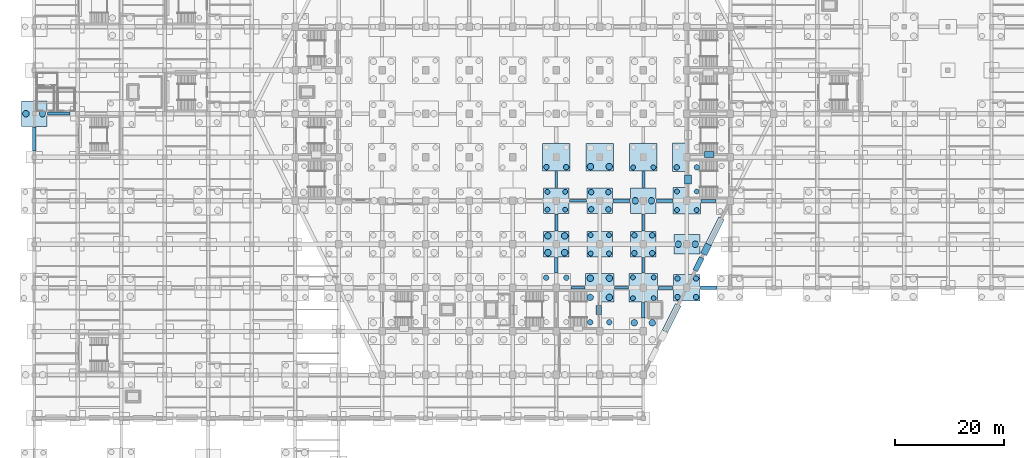
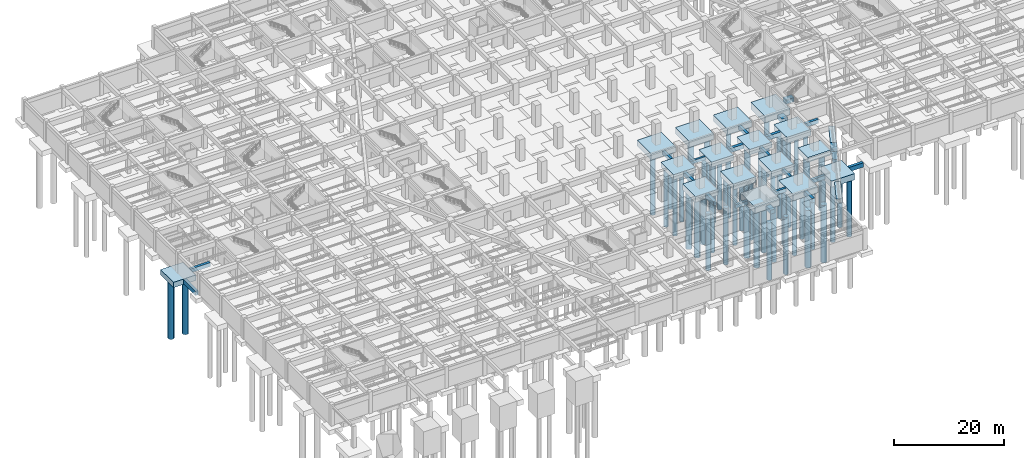
# One storey, part 5 of 36: 56 piles, 40 footings.
"""IFC4 building model written with IfcOpenShell, lengths in metres."""

import ifcopenshell
import ifcopenshell.guid

model = None  # the IFC model being written
_history = None  # IfcOwnerHistory: only IFC2X3 demands one
_inside = {}  # id of a spatial element -> (the spatial element, [elements in it])
_under = {}  # id of a project, library or spatial element -> (it, [spatial elements below it])
_declared = {}  # id of a project -> (the project, [libraries it declares])
_typed = {}  # id of a type object -> (the type object, [elements of that type])
_made_of = {}  # id of a material, layer set ... -> (it, [elements and type objects made of it])


def new_model(schema):
    """Start an empty IFC model of exactly this schema.

    Asked for "IFC4X3", IfcOpenShell would pick the latest addendum, in which some entities
    have other attributes; the version numbers below select the first issue.
    IFC2X3 requires an IfcOwnerHistory on every rooted entity: one is made here for all.
    """
    global model, _history
    if schema == "IFC4X3":
        model = ifcopenshell.file(schema_version=(4, 3, 0, 0))
    else:
        model = ifcopenshell.file(schema=schema)
    _inside.clear()
    _under.clear()
    _declared.clear()
    _typed.clear()
    _made_of.clear()
    _history = None
    if model.schema == "IFC2X3":
        org = make("IfcOrganization", Name="unknown")
        user = make(
            "IfcPersonAndOrganization",
            ThePerson=make("IfcPerson", FamilyName="unknown"),
            TheOrganization=org,
        )
        app = make(
            "IfcApplication",
            ApplicationDeveloper=org,
            Version="unknown",
            ApplicationFullName="unknown",
            ApplicationIdentifier="unknown",
        )
        _history = make(
            "IfcOwnerHistory",
            OwningUser=user,
            OwningApplication=app,
            ChangeAction="ADDED",
            CreationDate=0,
        )
    return model


def make(cls, **values):
    """One entity of the class cls with the attributes given. An attribute that is None is left unset."""
    return model.create_entity(
        cls, **{name: value for name, value in values.items() if value is not None}
    )


def rooted(cls, **values):
    """An entity with a GlobalId (a new one), such as an element, a storey or a relation."""
    return make(cls, GlobalId=ifcopenshell.guid.new(), OwnerHistory=_history, **values)


def si_unit(unit_type, name, prefix=None):
    """IfcSIUnit, for example si_unit("LENGTHUNIT", "METRE", prefix="MILLI")."""
    return make("IfcSIUnit", UnitType=unit_type, Prefix=prefix, Name=name)


def assignment(units):
    """IfcUnitAssignment: the units of a project."""
    return None if units is None else make("IfcUnitAssignment", Units=units)


def point(xyz):
    """IfcCartesianPoint."""
    return None if xyz is None else make("IfcCartesianPoint", Coordinates=xyz)


def direction(xyz):
    """IfcDirection."""
    return None if xyz is None else make("IfcDirection", DirectionRatios=xyz)


def frame(location, z_axis=None, x_axis=None):
    """IfcAxis2Placement3D, a coordinate frame: its origin and axes. An axis left out is left unset."""
    return make(
        "IfcAxis2Placement3D",
        Location=point(location),
        Axis=direction(z_axis),
        RefDirection=direction(x_axis),
    )


def frame_2d(location, x_axis=None):
    """IfcAxis2Placement2D, a coordinate frame in the plane: its origin and x axis."""
    return make(
        "IfcAxis2Placement2D", Location=point(location), RefDirection=direction(x_axis)
    )


def origin():
    """The frame at (0, 0, 0) with its axes left unset."""
    return frame((0.0, 0.0, 0.0))


def origin_2d():
    """The frame at (0, 0) in the plane with its x axis left unset."""
    return frame_2d((0.0, 0.0))


def place(relative_to, where):
    """IfcLocalPlacement: puts the frame where relative to a parent placement (None: the world)."""
    return make(
        "IfcLocalPlacement", PlacementRelTo=relative_to, RelativePlacement=where
    )


def context(
    kind, dimensions, precision=None, world=None, true_north=None, identifier=None
):
    """IfcGeometricRepresentationContext, for example the 3D "Model" context."""
    return make(
        "IfcGeometricRepresentationContext",
        ContextIdentifier=identifier,
        ContextType=kind,
        CoordinateSpaceDimension=dimensions,
        Precision=precision,
        WorldCoordinateSystem=world,
        TrueNorth=true_north,
    )


def subcontext(parent, identifier, kind, view, scale=None):
    """IfcGeometricRepresentationSubContext, for example "Body" below "Model"."""
    return make(
        "IfcGeometricRepresentationSubContext",
        ContextIdentifier=identifier,
        ContextType=kind,
        ParentContext=parent,
        TargetScale=scale,
        TargetView=view,
    )


def project(units=None, contexts=None):
    """IfcProject with its units and contexts."""
    return rooted(
        "IfcProject",
        Name="project",
        RepresentationContexts=contexts,
        UnitsInContext=assignment(units),
    )


def spatial(cls, under=None, at=None, **own):
    """A site, building, storey or space (cls), placed at a placement, below another one or the project."""
    s = rooted(cls, ObjectPlacement=at, **own)
    if under is not None:
        _under.setdefault(under.id(), (under, []))[1].append(s)
    return s


def profile(cls, at=None, kind="AREA", **sizes):
    """A parametric profile (cls). Its sizes go by their IFC names, for example OverallWidth=200.0."""
    return make(cls, ProfileType=kind, Position=at, **sizes)


def rectangle(**sizes):
    """IfcRectangleProfileDef."""
    return profile("IfcRectangleProfileDef", **sizes)


def circle(**sizes):
    """IfcCircleProfileDef."""
    return profile("IfcCircleProfileDef", **sizes)


def extrude(swept, where, along, depth):
    """IfcExtrudedAreaSolid: the profile swept, set in the frame where, extruded along a direction by depth."""
    return make(
        "IfcExtrudedAreaSolid",
        SweptArea=swept,
        Position=where,
        ExtrudedDirection=direction(along),
        Depth=depth,
    )


def shape(context_of_items, identifier, shape_type, items):
    """IfcShapeRepresentation: the items that make up one representation, for example the "Body"."""
    return make(
        "IfcShapeRepresentation",
        ContextOfItems=context_of_items,
        RepresentationIdentifier=identifier,
        RepresentationType=shape_type,
        Items=items,
    )


def material(Name=None, Category=None):
    """IfcMaterial."""
    return make("IfcMaterial", Name=Name, Category=Category)


def material_profile(
    of_material, cross_section, Name=None, Category=None, Priority=None
):
    """IfcMaterialProfile: a cross section and its material."""
    return make(
        "IfcMaterialProfile",
        Name=Name,
        Material=of_material,
        Profile=cross_section,
        Priority=Priority,
        Category=Category,
    )


def profile_set(profiles, Name=None, composite=None):
    """IfcMaterialProfileSet."""
    return make(
        "IfcMaterialProfileSet",
        Name=Name,
        MaterialProfiles=profiles,
        CompositeProfile=composite,
    )


def made_of(thing, what):
    """Note that an element or type object is made of a material, layer set ...; save() writes the relation."""
    if what is not None:
        _made_of.setdefault(what.id(), (what, []))[1].append(thing)
    return thing


def type_object(cls, material=None, **own):
    """A type object (cls), such as IfcWallType, which elements share."""
    return made_of(rooted(cls, **own), material)


def element(
    cls,
    number,
    at=None,
    inside=None,
    cuts=None,
    type_object=None,
    material=None,
    context=None,
    identifier="Body",
    shape_type=None,
    held_by="IfcProductDefinitionShape",
    body=None,
    shapes=None,
    **own,
):
    """One element of the class cls, such as IfcWall. Its Tag is "e" and its number.

    at: its placement. inside: the storey or other place that contains it. cuts: it is an
    opening in that element (IfcRelVoidsElement). A single representation is given by context,
    identifier, shape_type and body (its items); several are given by shapes. held_by: the class
    of the entity that holds the representations. save() writes the other relations.
    """
    e = rooted(cls, Tag="e%d" % number, ObjectPlacement=at, **own)
    if body is not None:
        shapes = [shape(context, identifier, shape_type, body)]
    if shapes is not None:
        e.Representation = make(held_by, Representations=shapes)
    if inside is not None:
        _inside.setdefault(inside.id(), (inside, []))[1].append(e)
    if cuts is not None:
        rooted(
            "IfcRelVoidsElement", RelatingBuildingElement=cuts, RelatedOpeningElement=e
        )
    if type_object is not None:
        _typed.setdefault(type_object.id(), (type_object, []))[1].append(e)
    return made_of(e, material)


def aggregate(whole, parts):
    """IfcRelAggregates: a whole, such as a stair, and the parts it consists of."""
    return rooted("IfcRelAggregates", RelatingObject=whole, RelatedObjects=parts)


def save(model, path):
    """Write the relations noted so far, then the file.

    IfcRelAggregates (storeys below a building ...), IfcRelContainedInSpatialStructure (elements
    in a storey), IfcRelDefinesByType, IfcRelAssociatesMaterial and IfcRelDeclares: one each for
    every whole, place, type object, material and project.
    """
    for whole, parts in _under.values():
        aggregate(whole, parts)
    for where, things in _inside.values():
        rooted(
            "IfcRelContainedInSpatialStructure",
            RelatedElements=things,
            RelatingStructure=where,
        )
    for kind, things in _typed.values():
        rooted("IfcRelDefinesByType", RelatedObjects=things, RelatingType=kind)
    for what, things in _made_of.values():
        rooted("IfcRelAssociatesMaterial", RelatedObjects=things, RelatingMaterial=what)
    for by, libraries in _declared.values():
        rooted("IfcRelDeclares", RelatingContext=by, RelatedDefinitions=libraries)
    model.write(path)


model = new_model("IFC4")

# Units and contexts
model_context = context("Model", 3, precision=1e-05, world=origin(), true_north=direction((0.0, 1.0)))
body_context = subcontext(model_context, "Body", "Model", "MODEL_VIEW")
ifc_project = project(units=[si_unit("LENGTHUNIT", "METRE"), si_unit("AREAUNIT", "SQUARE_METRE"), si_unit("VOLUMEUNIT", "CUBIC_METRE"), si_unit("PLANEANGLEUNIT", "RADIAN"), si_unit("MASSUNIT", "GRAM", prefix="KILO")], contexts=[model_context])

# Site, building, storey
site_placement = place(None, origin())
site = spatial("IfcSite", under=ifc_project, at=site_placement, CompositionType="ELEMENT")
building_placement = place(site_placement, origin())
building = spatial("IfcBuilding", under=site, at=building_placement, Name="Tazarka Park Arena", CompositionType="ELEMENT")
storey_placement = place(building_placement, frame((0.0, 0.0, -4.800048828125)))
storey = spatial("IfcBuildingStorey", under=building, at=storey_placement, Name="B1", CompositionType="ELEMENT", Elevation=-4.800048828125)

# Footings
ifc_material_1 = material(Name="Concrete C35/45", Category="concrete")
footing_type_1 = type_object("IfcFootingType", Name="CAP-PC-01", PredefinedType="PILE_CAP", material=ifc_material_1)
footing_1_placement = place(storey_placement, frame((0.0, 64.0, -1.19970703125), z_axis=(0.0, 0.0, 1.0), x_axis=(1.0, 0.0, 0.0)))
element("IfcFooting", 1, at=footing_1_placement, inside=storey, type_object=footing_type_1, Name="CAP-G-00-08", PredefinedType="PILE_CAP", context=body_context, shape_type="SweptSolid", body=[
    extrude(rectangle(XDim=4.699951171875, YDim=4.699951171875, at=origin_2d()), origin(), (0.0, 0.0, 1.0), 1.199951171875),
])
ifc_material_2 = material(Name="Concrete C35/45", Category="concrete")
footing_type_2 = type_object("IfcFootingType", Name="CAP-PC-02", PredefinedType="PILE_CAP", material=ifc_material_2)
footing_2_placement = place(storey_placement, frame((120.0, 32.0, -1.39990234375), z_axis=(0.0, 0.0, 1.0), x_axis=(1.0, 0.0, 0.0)))
element("IfcFooting", 2, at=footing_2_placement, inside=storey, type_object=footing_type_2, Name="CAP-G-15-04", PredefinedType="PILE_CAP", context=body_context, shape_type="SweptSolid", body=[
    extrude(rectangle(XDim=4.89990234375, YDim=4.89990234375, at=origin_2d()), origin(), (0.0, 0.0, 1.0), 1.39990234375),
])
ifc_material_3 = material(Name="Concrete C35/45", Category="concrete")
footing_type_3 = type_object("IfcFootingType", Name="CAP-PC-03", PredefinedType="PILE_CAP", material=ifc_material_3)
footing_3_placement = place(storey_placement, frame((120.0, 40.0, -1.10009765625), z_axis=(0.0, 0.0, 1.0), x_axis=(1.0, 0.0, 0.0)))
element("IfcFooting", 3, at=footing_3_placement, inside=storey, type_object=footing_type_3, Name="CAP-G-15-05", PredefinedType="PILE_CAP", context=body_context, shape_type="SweptSolid", body=[
    extrude(rectangle(XDim=4.800048828125, YDim=3.60009765625, at=origin_2d()), origin(), (0.0, 0.0, 1.0), 1.10009765625),
])
ifc_material_4 = material(Name="Concrete C35/45", Category="concrete")
footing_type_4 = type_object("IfcFootingType", Name="CAP-PC-04", PredefinedType="PILE_CAP", material=ifc_material_4)
footing_4_placement = place(storey_placement, frame((120.0, 48.0, -1.2998046875), z_axis=(0.0, 0.0, 1.0), x_axis=(1.0, 0.0, 0.0)))
element("IfcFooting", 4, at=footing_4_placement, inside=storey, type_object=footing_type_4, Name="CAP-G-15-06", PredefinedType="PILE_CAP", context=body_context, shape_type="SweptSolid", body=[
    extrude(rectangle(XDim=5.0, YDim=4.800048828125, at=origin_2d()), origin(), (0.0, 0.0, 1.0), 1.300048828125),
])
ifc_material_5 = material(Name="Concrete C35/45", Category="concrete")
footing_type_5 = type_object("IfcFootingType", Name="CAP-PC-05", PredefinedType="PILE_CAP", material=ifc_material_5)
for number, where, z_axis, x_axis, name in (
    (5, (104.0, 32.0, -1.5), (0.0, 0.0, 1.0), (1.0, 0.0, 0.0), "CAP-G-13-04"),
    (6, (112.0, 32.0, -1.5), (0.0, 0.0, 1.0), (1.0, 0.0, 0.0), "CAP-G-14-04"),
    (7, (120.0, 56.0, -1.5), (0.0, 0.0, 1.0), (1.0, 0.0, 0.0), "CAP-G-15-07"),
):
    element("IfcFooting", number, at=place(storey_placement, frame(where, z_axis=z_axis, x_axis=x_axis)), inside=storey, type_object=footing_type_5, Name=name, PredefinedType="PILE_CAP", context=body_context, shape_type="SweptSolid", body=[
        extrude(rectangle(XDim=5.199951171875, YDim=5.199951171875, at=origin_2d()), origin(), (0.0, 0.0, 1.0), 1.5),
    ])
ifc_material_6 = material(Name="Concrete C35/45", Category="concrete")
footing_type_6 = type_object("IfcFootingType", Name="CAP-PC-06", PredefinedType="PILE_CAP", material=ifc_material_6)
for number, where, z_axis, x_axis, name in (
    (8, (96.0, 40.0, -1.25), (0.0, 0.0, 1.0), (1.0, 0.0, 0.0), "CAP-G-12-05"),
    (9, (104.0, 40.0, -1.25), (0.0, 0.0, 1.0), (1.0, 0.0, 0.0), "CAP-G-13-05"),
    (10, (112.0, 40.0, -1.25), (0.0, 0.0, 1.0), (1.0, 0.0, 0.0), "CAP-G-14-05"),
):
    element("IfcFooting", number, at=place(storey_placement, frame(where, z_axis=z_axis, x_axis=x_axis)), inside=storey, type_object=footing_type_6, Name=name, PredefinedType="PILE_CAP", context=body_context, shape_type="SweptSolid", body=[
        extrude(rectangle(XDim=4.75, YDim=4.75, at=origin_2d()), origin(), (0.0, 0.0, 1.0), 1.25),
    ])
ifc_material_7 = material(Name="Concrete C35/45", Category="concrete")
footing_type_7 = type_object("IfcFootingType", Name="CAP-PC-07", PredefinedType="PILE_CAP", material=ifc_material_7)
for number, where, z_axis, x_axis, name in (
    (11, (96.0, 48.0, -1.14990234375), (0.0, 0.0, 1.0), (1.0, 0.0, 0.0), "CAP-G-12-06"),
    (12, (104.0, 48.0, -1.14990234375), (0.0, 0.0, 1.0), (1.0, 0.0, 0.0), "CAP-G-13-06"),
    (13, (112.0, 48.0, -1.14990234375), (0.0, 0.0, 1.0), (1.0, 0.0, 0.0), "CAP-G-14-06"),
):
    element("IfcFooting", number, at=place(storey_placement, frame(where, z_axis=z_axis, x_axis=x_axis)), inside=storey, type_object=footing_type_7, Name=name, PredefinedType="PILE_CAP", context=body_context, shape_type="SweptSolid", body=[
        extrude(rectangle(XDim=4.64990234375, YDim=4.64990234375, at=origin_2d()), origin(), (0.0, 0.0, 1.0), 1.14990234375),
    ])
ifc_material_8 = material(Name="Concrete C35/45", Category="concrete")
footing_type_8 = type_object("IfcFootingType", Name="CAP-PC-08", PredefinedType="PILE_CAP", material=ifc_material_8)
for number, where, z_axis, x_axis, name in (
    (14, (96.0, 56.0, -1.35009765625), (0.0, 0.0, 1.0), (1.0, 0.0, 0.0), "CAP-G-12-07"),
    (15, (104.0, 56.0, -1.35009765625), (0.0, 0.0, 1.0), (1.0, 0.0, 0.0), "CAP-G-13-07"),
    (16, (112.0, 56.0, -1.35009765625), (0.0, 0.0, 1.0), (1.0, 0.0, 0.0), "CAP-G-14-07"),
):
    element("IfcFooting", number, at=place(storey_placement, frame(where, z_axis=z_axis, x_axis=x_axis)), inside=storey, type_object=footing_type_8, Name=name, PredefinedType="PILE_CAP", context=body_context, shape_type="SweptSolid", body=[
        extrude(rectangle(XDim=5.10009765625, YDim=5.10009765625, at=origin_2d()), origin(), (0.0, 0.0, 1.0), 1.35009765625),
    ])
ifc_material_9 = material(Name="Concrete C35/45", Category="concrete")
ifc_material_profile_1 = material_profile(ifc_material_9, rectangle(XDim=0.449951171875, YDim=0.699951171875, at=origin_2d()), Name="Concrete C35/45")
ifc_profile_set_1 = profile_set([ifc_material_profile_1], Name="Concrete C35/45")
footing_type_9 = type_object("IfcFootingType", Name="GB-GB-01", PredefinedType="FOOTING_BEAM", material=ifc_profile_set_1)
footing_5_placement = place(storey_placement, frame((98.405029296875, 48.0, -0.349853515625), z_axis=(1.0, 0.0, 0.0), x_axis=(0.0, 1.0, 0.0)))
element("IfcFooting", 17, at=footing_5_placement, inside=storey, type_object=footing_type_9, Name="GB-X-12-06", PredefinedType="FOOTING_BEAM", context=body_context, shape_type="SweptSolid", body=[
    extrude(rectangle(XDim=0.449951171875, YDim=0.699951171875, at=origin_2d()), origin(), (0.0, 0.0, 1.0), 3.18994140625),
])
footing_6_placement = place(storey_placement, frame((112.0, 34.679931640625, -0.349853515625), z_axis=(0.0, 1.0, 0.0), x_axis=(-1.0, 0.0, 0.0)))
element("IfcFooting", 18, at=footing_6_placement, inside=storey, type_object=footing_type_9, Name="GB-Y-14-04", PredefinedType="FOOTING_BEAM", context=body_context, shape_type="SweptSolid", body=[
    extrude(rectangle(XDim=0.449951171875, YDim=0.699951171875, at=origin_2d()), origin(), (0.0, 0.0, 1.0), 2.864990234375),
])
ifc_material_10 = material(Name="Concrete C35/45", Category="concrete")
ifc_material_profile_2 = material_profile(ifc_material_10, rectangle(XDim=0.5, YDim=0.800048828125, at=origin_2d()), Name="Concrete C35/45")
ifc_profile_set_2 = profile_set([ifc_material_profile_2], Name="Concrete C35/45")
footing_type_10 = type_object("IfcFootingType", Name="GB-GB-02", PredefinedType="FOOTING_BEAM", material=ifc_profile_set_2)
footing_7_placement = place(storey_placement, frame((98.679931640625, 32.0, -0.39990234375), z_axis=(1.0, 0.0, 0.0), x_axis=(0.0, 1.0, 0.0)))
element("IfcFooting", 19, at=footing_7_placement, inside=storey, type_object=footing_type_10, Name="GB-X-12-04", PredefinedType="FOOTING_BEAM", context=body_context, shape_type="SweptSolid", body=[
    extrude(rectangle(XDim=0.5, YDim=0.800048828125, at=origin_2d()), origin(), (0.0, 0.0, 1.0), 2.64013671875),
])
footing_8_placement = place(storey_placement, frame((96.0, 50.405029296875, -0.39990234375), z_axis=(0.0, 1.0, 0.0), x_axis=(-1.0, 0.0, 0.0)))
element("IfcFooting", 20, at=footing_8_placement, inside=storey, type_object=footing_type_10, Name="GB-Y-12-06", PredefinedType="FOOTING_BEAM", context=body_context, shape_type="SweptSolid", body=[
    extrude(rectangle(XDim=0.5, YDim=0.800048828125, at=origin_2d()), origin(), (0.0, 0.0, 1.0), 2.965087890625),
])
footing_9_placement = place(storey_placement, frame((106.679931640625, 32.0, -0.39990234375), z_axis=(1.0, 0.0, 0.0), x_axis=(0.0, 1.0, 0.0)))
element("IfcFooting", 21, at=footing_9_placement, inside=storey, type_object=footing_type_10, Name="GB-X-13-04", PredefinedType="FOOTING_BEAM", context=body_context, shape_type="SweptSolid", body=[
    extrude(rectangle(XDim=0.5, YDim=0.800048828125, at=origin_2d()), origin(), (0.0, 0.0, 1.0), 2.64013671875),
])
footing_10_placement = place(storey_placement, frame((112.0, 42.455078125, -0.39990234375), z_axis=(0.0, 1.0, 0.0), x_axis=(-1.0, 0.0, 0.0)))
element("IfcFooting", 22, at=footing_10_placement, inside=storey, type_object=footing_type_10, Name="GB-Y-14-05", PredefinedType="FOOTING_BEAM", context=body_context, shape_type="SweptSolid", body=[
    extrude(rectangle(XDim=0.5, YDim=0.800048828125, at=origin_2d()), origin(), (0.0, 0.0, 1.0), 3.139892578125),
])
ifc_material_11 = material(Name="Concrete C35/45", Category="concrete")
ifc_material_profile_3 = material_profile(ifc_material_11, rectangle(XDim=0.60009765625, YDim=0.949951171875, at=origin_2d()), Name="Concrete C35/45")
ifc_profile_set_3 = profile_set([ifc_material_profile_3], Name="Concrete C35/45")
footing_type_11 = type_object("IfcFootingType", Name="GB-GB-03", PredefinedType="FOOTING_BEAM", material=ifc_profile_set_3)
footing_11_placement = place(storey_placement, frame((0.0, 57.179931640625, -0.474853515625), z_axis=(0.0, 1.0, 0.0), x_axis=(-1.0, 0.0, 0.0)))
element("IfcFooting", 23, at=footing_11_placement, inside=storey, type_object=footing_type_11, Name="GB-Y-00-07", PredefinedType="FOOTING_BEAM", context=body_context, shape_type="SweptSolid", body=[
    extrude(rectangle(XDim=0.60009765625, YDim=0.949951171875, at=origin_2d()), origin(), (0.0, 0.0, 1.0), 4.39013671875),
])
footing_12_placement = place(storey_placement, frame((96.0, 34.679931640625, -0.474853515625), z_axis=(0.0, 1.0, 0.0), x_axis=(-1.0, 0.0, 0.0)))
element("IfcFooting", 24, at=footing_12_placement, inside=storey, type_object=footing_type_11, Name="GB-Y-12-04", PredefinedType="FOOTING_BEAM", context=body_context, shape_type="SweptSolid", body=[
    extrude(rectangle(XDim=0.60009765625, YDim=0.949951171875, at=origin_2d()), origin(), (0.0, 0.0, 1.0), 2.864990234375),
])
footing_13_placement = place(storey_placement, frame((106.405029296875, 48.0, -0.474853515625), z_axis=(1.0, 0.0, 0.0), x_axis=(0.0, 1.0, 0.0)))
element("IfcFooting", 25, at=footing_13_placement, inside=storey, type_object=footing_type_11, Name="GB-X-13-06", PredefinedType="FOOTING_BEAM", context=body_context, shape_type="SweptSolid", body=[
    extrude(rectangle(XDim=0.60009765625, YDim=0.949951171875, at=origin_2d()), origin(), (0.0, 0.0, 1.0), 3.18994140625),
])
footing_14_placement = place(storey_placement, frame((112.0, 26.47998046875, -0.474853515625), z_axis=(0.0, 1.0, 0.0), x_axis=(-1.0, 0.0, 0.0)))
element("IfcFooting", 26, at=footing_14_placement, inside=storey, type_object=footing_type_11, Name="GB-Y-14-03", PredefinedType="FOOTING_BEAM", context=body_context, shape_type="SweptSolid", body=[
    extrude(rectangle(XDim=0.60009765625, YDim=0.949951171875, at=origin_2d()), origin(), (0.0, 0.0, 1.0), 2.840087890625),
])
for number, where, z_axis, x_axis, name in (
    (27, (114.405029296875, 48.0, -0.474853515625), (1.0, 0.0, 0.0), (0.0, 1.0, 0.0), "GB-X-14-06"),
    (28, (122.530029296875, 32.0, -0.474853515625), (1.0, 0.0, 0.0), (0.0, 1.0, 0.0), "GB-X-15-04"),
):
    element("IfcFooting", number, at=place(storey_placement, frame(where, z_axis=z_axis, x_axis=x_axis)), inside=storey, type_object=footing_type_11, Name=name, PredefinedType="FOOTING_BEAM", context=body_context, shape_type="SweptSolid", body=[
        extrude(rectangle(XDim=0.60009765625, YDim=0.949951171875, at=origin_2d()), origin(), (0.0, 0.0, 1.0), 3.014892578125),
    ])
ifc_material_12 = material(Name="Concrete C35/45", Category="concrete")
ifc_material_profile_4 = material_profile(ifc_material_12, rectangle(XDim=0.550048828125, YDim=0.85009765625, at=origin_2d()), Name="Concrete C35/45")
ifc_profile_set_4 = profile_set([ifc_material_profile_4], Name="Concrete C35/45")
footing_type_12 = type_object("IfcFootingType", Name="GB-GB-04", PredefinedType="FOOTING_BEAM", material=ifc_profile_set_4)
footing_15_placement = place(storey_placement, frame((2.429931640625, 64.0, -0.425048828125), z_axis=(1.0, 0.0, 0.0), x_axis=(0.0, 1.0, 0.0)))
element("IfcFooting", 29, at=footing_15_placement, inside=storey, type_object=footing_type_12, Name="GB-X-00-08", PredefinedType="FOOTING_BEAM", context=body_context, shape_type="SweptSolid", body=[
    extrude(rectangle(XDim=0.550048828125, YDim=0.85009765625, at=origin_2d()), origin(), (0.0, 0.0, 1.0), 4.190185546875),
])
footing_16_placement = place(storey_placement, frame((96.0, 42.455078125, -0.425048828125), z_axis=(0.0, 1.0, 0.0), x_axis=(-1.0, 0.0, 0.0)))
element("IfcFooting", 30, at=footing_16_placement, inside=storey, type_object=footing_type_12, Name="GB-Y-12-05", PredefinedType="FOOTING_BEAM", context=body_context, shape_type="SweptSolid", body=[
    extrude(rectangle(XDim=0.550048828125, YDim=0.85009765625, at=origin_2d()), origin(), (0.0, 0.0, 1.0), 3.139892578125),
])
footing_17_placement = place(storey_placement, frame((114.679931640625, 32.0, -0.425048828125), z_axis=(1.0, 0.0, 0.0), x_axis=(0.0, 1.0, 0.0)))
element("IfcFooting", 31, at=footing_17_placement, inside=storey, type_object=footing_type_12, Name="GB-X-14-04", PredefinedType="FOOTING_BEAM", context=body_context, shape_type="SweptSolid", body=[
    extrude(rectangle(XDim=0.550048828125, YDim=0.85009765625, at=origin_2d()), origin(), (0.0, 0.0, 1.0), 2.7900390625),
])
footing_18_placement = place(storey_placement, frame((112.0, 50.405029296875, -0.425048828125), z_axis=(0.0, 1.0, 0.0), x_axis=(-1.0, 0.0, 0.0)))
element("IfcFooting", 32, at=footing_18_placement, inside=storey, type_object=footing_type_12, Name="GB-Y-14-06", PredefinedType="FOOTING_BEAM", context=body_context, shape_type="SweptSolid", body=[
    extrude(rectangle(XDim=0.550048828125, YDim=0.85009765625, at=origin_2d()), origin(), (0.0, 0.0, 1.0), 2.965087890625),
])
footing_19_placement = place(storey_placement, frame((122.580078125, 48.0, -0.425048828125), z_axis=(1.0, 0.0, 0.0), x_axis=(0.0, 1.0, 0.0)))
element("IfcFooting", 33, at=footing_19_placement, inside=storey, type_object=footing_type_12, Name="GB-X-15-06", PredefinedType="FOOTING_BEAM", context=body_context, shape_type="SweptSolid", body=[
    extrude(rectangle(XDim=0.550048828125, YDim=0.85009765625, at=origin_2d()), origin(), (0.0, 0.0, 1.0), 2.7900390625),
])

# Piles
ifc_material_13 = material(Name="Concrete C35/45", Category="concrete")
ifc_material_profile_5 = material_profile(ifc_material_13, circle(Radius=0.5, at=origin_2d()), Name="Concrete C35/45")
ifc_profile_set_5 = profile_set([ifc_material_profile_5], Name="Concrete C35/45")
pile_type_1 = type_object("IfcPileType", Name="PILE-D1000", PredefinedType="BORED", material=ifc_profile_set_5)
for number, where, z_axis, x_axis, name in (
    (34, (94.139892578125, 33.860107421875, -1.39990234375), (0.0, 0.0, -1.0), (1.0, 0.0, 0.0), "PLN-G-12-04-3"),
    (35, (97.860107421875, 33.860107421875, -1.39990234375), (0.0, 0.0, -1.0), (1.0, 0.0, 0.0), "PLN-G-12-04-4"),
):
    element("IfcPile", number, at=place(storey_placement, frame(where, z_axis=z_axis, x_axis=x_axis)), inside=storey, type_object=pile_type_1, Name=name, PredefinedType="BORED", context=body_context, shape_type="SweptSolid", body=[
        extrude(circle(Radius=0.5, at=origin_2d()), origin(), (0.0, 0.0, 1.0), 12.60009765625),
    ])
for number, where, z_axis, x_axis, name in (
    (36, (94.18994140625, 54.18994140625, -1.25), (0.0, 0.0, -1.0), (1.0, 0.0, 0.0), "PLN-G-12-07-1"),
    (37, (97.81005859375, 54.18994140625, -1.25), (0.0, 0.0, -1.0), (1.0, 0.0, 0.0), "PLN-G-12-07-2"),
):
    element("IfcPile", number, at=place(storey_placement, frame(where, z_axis=z_axis, x_axis=x_axis)), inside=storey, type_object=pile_type_1, Name=name, PredefinedType="BORED", context=body_context, shape_type="SweptSolid", body=[
        extrude(circle(Radius=0.5, at=origin_2d()), origin(), (0.0, 0.0, 1.0), 12.75),
    ])
for number, where, z_axis, x_axis, name in (
    (38, (102.239990234375, 25.659912109375, -1.199951171875), (0.0, 0.0, -1.0), (1.0, 0.0, 0.0), "PLN-G-13-03-3"),
    (39, (105.760009765625, 25.659912109375, -1.199951171875), (0.0, 0.0, -1.0), (1.0, 0.0, 0.0), "PLN-G-13-03-4"),
):
    element("IfcPile", number, at=place(storey_placement, frame(where, z_axis=z_axis, x_axis=x_axis)), inside=storey, type_object=pile_type_1, Name=name, PredefinedType="BORED", context=body_context, shape_type="SweptSolid", body=[
        extrude(circle(Radius=0.5, at=origin_2d()), origin(), (0.0, 0.0, 1.0), 12.800048828125),
    ])
for number, where, z_axis, x_axis, name in (
    (40, (102.4150390625, 46.4150390625, -1.050048828125), (0.0, 0.0, -1.0), (1.0, 0.0, 0.0), "PLN-G-13-06-1"),
    (41, (105.5849609375, 46.4150390625, -1.050048828125), (0.0, 0.0, -1.0), (1.0, 0.0, 0.0), "PLN-G-13-06-2"),
    (42, (102.4150390625, 49.5849609375, -1.050048828125), (0.0, 0.0, -1.0), (1.0, 0.0, 0.0), "PLN-G-13-06-3"),
    (43, (105.5849609375, 49.5849609375, -1.050048828125), (0.0, 0.0, -1.0), (1.0, 0.0, 0.0), "PLN-G-13-06-4"),
):
    element("IfcPile", number, at=place(storey_placement, frame(where, z_axis=z_axis, x_axis=x_axis)), inside=storey, type_object=pile_type_1, Name=name, PredefinedType="BORED", context=body_context, shape_type="SweptSolid", body=[
        extrude(circle(Radius=0.5, at=origin_2d()), origin(), (0.0, 0.0, 1.0), 12.949951171875),
    ])
for number, where, z_axis, x_axis, name in (
    (44, (110.364990234375, 38.364990234375, -1.14990234375), (0.0, 0.0, -1.0), (1.0, 0.0, 0.0), "PLN-G-14-05-1"),
    (45, (113.635009765625, 38.364990234375, -1.14990234375), (0.0, 0.0, -1.0), (1.0, 0.0, 0.0), "PLN-G-14-05-2"),
    (46, (110.364990234375, 41.635009765625, -1.14990234375), (0.0, 0.0, -1.0), (1.0, 0.0, 0.0), "PLN-G-14-05-3"),
    (47, (113.635009765625, 41.635009765625, -1.14990234375), (0.0, 0.0, -1.0), (1.0, 0.0, 0.0), "PLN-G-14-05-4"),
):
    element("IfcPile", number, at=place(storey_placement, frame(where, z_axis=z_axis, x_axis=x_axis)), inside=storey, type_object=pile_type_1, Name=name, PredefinedType="BORED", context=body_context, shape_type="SweptSolid", body=[
        extrude(circle(Radius=0.5, at=origin_2d()), origin(), (0.0, 0.0, 1.0), 12.85009765625),
    ])
for number, where, z_axis, x_axis, name in (
    (48, (118.2900390625, 30.2900390625, -1.300048828125), (0.0, 0.0, -1.0), (1.0, 0.0, 0.0), "PLN-G-15-04-1"),
    (49, (121.7099609375, 30.2900390625, -1.300048828125), (0.0, 0.0, -1.0), (1.0, 0.0, 0.0), "PLN-G-15-04-2"),
    (50, (118.2900390625, 33.7099609375, -1.300048828125), (0.0, 0.0, -1.0), (1.0, 0.0, 0.0), "PLN-G-15-04-3"),
    (51, (121.7099609375, 33.7099609375, -1.300048828125), (0.0, 0.0, -1.0), (1.0, 0.0, 0.0), "PLN-G-15-04-4"),
):
    element("IfcPile", number, at=place(storey_placement, frame(where, z_axis=z_axis, x_axis=x_axis)), inside=storey, type_object=pile_type_1, Name=name, PredefinedType="BORED", context=body_context, shape_type="SweptSolid", body=[
        extrude(circle(Radius=0.5, at=origin_2d()), origin(), (0.0, 0.0, 1.0), 12.699951171875),
    ])
for number, where, z_axis, x_axis, name in (
    (52, (118.139892578125, 54.139892578125, -1.39990234375), (0.0, 0.0, -1.0), (1.0, 0.0, 0.0), "PLN-G-15-07-1"),
    (53, (121.860107421875, 54.139892578125, -1.39990234375), (0.0, 0.0, -1.0), (1.0, 0.0, 0.0), "PLN-G-15-07-2"),
):
    element("IfcPile", number, at=place(storey_placement, frame(where, z_axis=z_axis, x_axis=x_axis)), inside=storey, type_object=pile_type_1, Name=name, PredefinedType="BORED", context=body_context, shape_type="SweptSolid", body=[
        extrude(circle(Radius=0.5, at=origin_2d()), origin(), (0.0, 0.0, 1.0), 12.60009765625),
    ])
ifc_material_14 = material(Name="Concrete C35/45", Category="concrete")
ifc_material_profile_6 = material_profile(ifc_material_14, circle(Radius=0.60009765625, at=origin_2d()), Name="Concrete C35/45")
ifc_profile_set_6 = profile_set([ifc_material_profile_6], Name="Concrete C35/45")
pile_type_2 = type_object("IfcPileType", Name="PILE-D1200", PredefinedType="BORED", material=ifc_profile_set_6)
for number, where, z_axis, x_axis, name in (
    (54, (-1.510009765625, 64.0, -1.099853515625), (0.0, 0.0, -1.0), (1.0, 0.0, 0.0), "PLN-G-00-08-1"),
    (55, (1.510009765625, 64.0, -1.099853515625), (0.0, 0.0, -1.0), (1.0, 0.0, 0.0), "PLN-G-00-08-2"),
):
    element("IfcPile", number, at=place(storey_placement, frame(where, z_axis=z_axis, x_axis=x_axis)), inside=storey, type_object=pile_type_2, Name=name, PredefinedType="BORED", context=body_context, shape_type="SweptSolid", body=[
        extrude(circle(Radius=0.60009765625, at=origin_2d()), origin(), (0.0, 0.0, 1.0), 12.89990234375),
    ])
for number, where, z_axis, x_axis, name in (
    (56, (94.465087890625, 38.465087890625, -1.14990234375), (0.0, 0.0, -1.0), (1.0, 0.0, 0.0), "PLN-G-12-05-1"),
    (57, (97.534912109375, 38.465087890625, -1.14990234375), (0.0, 0.0, -1.0), (1.0, 0.0, 0.0), "PLN-G-12-05-2"),
    (58, (94.465087890625, 41.534912109375, -1.14990234375), (0.0, 0.0, -1.0), (1.0, 0.0, 0.0), "PLN-G-12-05-3"),
    (59, (97.534912109375, 41.534912109375, -1.14990234375), (0.0, 0.0, -1.0), (1.0, 0.0, 0.0), "PLN-G-12-05-4"),
):
    element("IfcPile", number, at=place(storey_placement, frame(where, z_axis=z_axis, x_axis=x_axis)), inside=storey, type_object=pile_type_2, Name=name, PredefinedType="BORED", context=body_context, shape_type="SweptSolid", body=[
        extrude(circle(Radius=0.60009765625, at=origin_2d()), origin(), (0.0, 0.0, 1.0), 12.85009765625),
    ])
for number, where, z_axis, x_axis, name in (
    (60, (102.239990234375, 30.239990234375, -1.39990234375), (0.0, 0.0, -1.0), (1.0, 0.0, 0.0), "PLN-G-13-04-1"),
    (61, (105.760009765625, 30.239990234375, -1.39990234375), (0.0, 0.0, -1.0), (1.0, 0.0, 0.0), "PLN-G-13-04-2"),
    (62, (102.239990234375, 33.760009765625, -1.39990234375), (0.0, 0.0, -1.0), (1.0, 0.0, 0.0), "PLN-G-13-04-3"),
    (63, (105.760009765625, 33.760009765625, -1.39990234375), (0.0, 0.0, -1.0), (1.0, 0.0, 0.0), "PLN-G-13-04-4"),
):
    element("IfcPile", number, at=place(storey_placement, frame(where, z_axis=z_axis, x_axis=x_axis)), inside=storey, type_object=pile_type_2, Name=name, PredefinedType="BORED", context=body_context, shape_type="SweptSolid", body=[
        extrude(circle(Radius=0.60009765625, at=origin_2d()), origin(), (0.0, 0.0, 1.0), 12.60009765625),
    ])
for number, where, z_axis, x_axis, name in (
    (64, (102.2900390625, 54.2900390625, -1.25), (0.0, 0.0, -1.0), (1.0, 0.0, 0.0), "PLN-G-13-07-1"),
    (65, (105.7099609375, 54.2900390625, -1.25), (0.0, 0.0, -1.0), (1.0, 0.0, 0.0), "PLN-G-13-07-2"),
):
    element("IfcPile", number, at=place(storey_placement, frame(where, z_axis=z_axis, x_axis=x_axis)), inside=storey, type_object=pile_type_2, Name=name, PredefinedType="BORED", context=body_context, shape_type="SweptSolid", body=[
        extrude(circle(Radius=0.60009765625, at=origin_2d()), origin(), (0.0, 0.0, 1.0), 12.75),
    ])
for number, where, z_axis, x_axis, name in (
    (66, (110.340087890625, 25.56005859375, -1.199951171875), (0.0, 0.0, -1.0), (1.0, 0.0, 0.0), "PLN-G-14-03-3"),
    (67, (113.659912109375, 25.56005859375, -1.199951171875), (0.0, 0.0, -1.0), (1.0, 0.0, 0.0), "PLN-G-14-03-4"),
):
    element("IfcPile", number, at=place(storey_placement, frame(where, z_axis=z_axis, x_axis=x_axis)), inside=storey, type_object=pile_type_2, Name=name, PredefinedType="BORED", context=body_context, shape_type="SweptSolid", body=[
        extrude(circle(Radius=0.60009765625, at=origin_2d()), origin(), (0.0, 0.0, 1.0), 12.800048828125),
    ])
for number, where, z_axis, x_axis, name in (
    (68, (110.514892578125, 48.0, -1.050048828125), (0.0, 0.0, -1.0), (1.0, 0.0, 0.0), "PLN-G-14-06-1"),
    (69, (113.485107421875, 48.0, -1.050048828125), (0.0, 0.0, -1.0), (1.0, 0.0, 0.0), "PLN-G-14-06-2"),
):
    element("IfcPile", number, at=place(storey_placement, frame(where, z_axis=z_axis, x_axis=x_axis)), inside=storey, type_object=pile_type_2, Name=name, PredefinedType="BORED", context=body_context, shape_type="SweptSolid", body=[
        extrude(circle(Radius=0.60009765625, at=origin_2d()), origin(), (0.0, 0.0, 1.0), 12.949951171875),
    ])
for number, where, z_axis, x_axis, name in (
    (70, (118.43994140625, 40.0, -1.0), (0.0, 0.0, -1.0), (1.0, 0.0, 0.0), "PLN-G-15-05-1"),
    (71, (121.56005859375, 40.0, -1.0), (0.0, 0.0, -1.0), (1.0, 0.0, 0.0), "PLN-G-15-05-2"),
):
    element("IfcPile", number, at=place(storey_placement, frame(where, z_axis=z_axis, x_axis=x_axis)), inside=storey, type_object=pile_type_2, Name=name, PredefinedType="BORED", context=body_context, shape_type="SweptSolid", body=[
        extrude(circle(Radius=0.60009765625, at=origin_2d()), origin(), (0.0, 0.0, 1.0), 13.0),
    ])
ifc_material_15 = material(Name="Concrete C35/45", Category="concrete")
ifc_material_profile_7 = material_profile(ifc_material_15, circle(Radius=0.449951171875, at=origin_2d()), Name="Concrete C35/45")
ifc_profile_set_7 = profile_set([ifc_material_profile_7], Name="Concrete C35/45")
pile_type_3 = type_object("IfcPileType", Name="PILE-D900", PredefinedType="BORED", material=ifc_profile_set_7)
for number, where, z_axis, x_axis, name in (
    (72, (94.364990234375, 46.364990234375, -1.050048828125), (0.0, 0.0, -1.0), (1.0, 0.0, 0.0), "PLN-G-12-06-1"),
    (73, (97.635009765625, 46.364990234375, -1.050048828125), (0.0, 0.0, -1.0), (1.0, 0.0, 0.0), "PLN-G-12-06-2"),
    (74, (94.364990234375, 49.635009765625, -1.050048828125), (0.0, 0.0, -1.0), (1.0, 0.0, 0.0), "PLN-G-12-06-3"),
    (75, (97.635009765625, 49.635009765625, -1.050048828125), (0.0, 0.0, -1.0), (1.0, 0.0, 0.0), "PLN-G-12-06-4"),
):
    element("IfcPile", number, at=place(storey_placement, frame(where, z_axis=z_axis, x_axis=x_axis)), inside=storey, type_object=pile_type_3, Name=name, PredefinedType="BORED", context=body_context, shape_type="SweptSolid", body=[
        extrude(circle(Radius=0.449951171875, at=origin_2d()), origin(), (0.0, 0.0, 1.0), 12.949951171875),
    ])
for number, where, z_axis, x_axis, name in (
    (76, (102.31494140625, 38.31494140625, -1.14990234375), (0.0, 0.0, -1.0), (1.0, 0.0, 0.0), "PLN-G-13-05-1"),
    (77, (105.68505859375, 38.31494140625, -1.14990234375), (0.0, 0.0, -1.0), (1.0, 0.0, 0.0), "PLN-G-13-05-2"),
    (78, (102.31494140625, 41.68505859375, -1.14990234375), (0.0, 0.0, -1.0), (1.0, 0.0, 0.0), "PLN-G-13-05-3"),
    (79, (105.68505859375, 41.68505859375, -1.14990234375), (0.0, 0.0, -1.0), (1.0, 0.0, 0.0), "PLN-G-13-05-4"),
):
    element("IfcPile", number, at=place(storey_placement, frame(where, z_axis=z_axis, x_axis=x_axis)), inside=storey, type_object=pile_type_3, Name=name, PredefinedType="BORED", context=body_context, shape_type="SweptSolid", body=[
        extrude(circle(Radius=0.449951171875, at=origin_2d()), origin(), (0.0, 0.0, 1.0), 12.85009765625),
    ])
for number, where, z_axis, x_axis, name in (
    (80, (110.090087890625, 30.090087890625, -1.39990234375), (0.0, 0.0, -1.0), (1.0, 0.0, 0.0), "PLN-G-14-04-1"),
    (81, (113.909912109375, 30.090087890625, -1.39990234375), (0.0, 0.0, -1.0), (1.0, 0.0, 0.0), "PLN-G-14-04-2"),
    (82, (110.090087890625, 33.909912109375, -1.39990234375), (0.0, 0.0, -1.0), (1.0, 0.0, 0.0), "PLN-G-14-04-3"),
    (83, (113.909912109375, 33.909912109375, -1.39990234375), (0.0, 0.0, -1.0), (1.0, 0.0, 0.0), "PLN-G-14-04-4"),
):
    element("IfcPile", number, at=place(storey_placement, frame(where, z_axis=z_axis, x_axis=x_axis)), inside=storey, type_object=pile_type_3, Name=name, PredefinedType="BORED", context=body_context, shape_type="SweptSolid", body=[
        extrude(circle(Radius=0.449951171875, at=origin_2d()), origin(), (0.0, 0.0, 1.0), 12.60009765625),
    ])
for number, where, z_axis, x_axis, name in (
    (84, (110.139892578125, 54.139892578125, -1.25), (0.0, 0.0, -1.0), (1.0, 0.0, 0.0), "PLN-G-14-07-1"),
    (85, (113.860107421875, 54.139892578125, -1.25), (0.0, 0.0, -1.0), (1.0, 0.0, 0.0), "PLN-G-14-07-2"),
):
    element("IfcPile", number, at=place(storey_placement, frame(where, z_axis=z_axis, x_axis=x_axis)), inside=storey, type_object=pile_type_3, Name=name, PredefinedType="BORED", context=body_context, shape_type="SweptSolid", body=[
        extrude(circle(Radius=0.449951171875, at=origin_2d()), origin(), (0.0, 0.0, 1.0), 12.75),
    ])
for number, where, z_axis, x_axis, name in (
    (86, (118.18994140625, 46.2900390625, -1.199951171875), (0.0, 0.0, -1.0), (1.0, 0.0, 0.0), "PLN-G-15-06-1"),
    (87, (121.81005859375, 46.2900390625, -1.199951171875), (0.0, 0.0, -1.0), (1.0, 0.0, 0.0), "PLN-G-15-06-2"),
    (88, (118.18994140625, 49.7099609375, -1.199951171875), (0.0, 0.0, -1.0), (1.0, 0.0, 0.0), "PLN-G-15-06-3"),
    (89, (121.81005859375, 49.7099609375, -1.199951171875), (0.0, 0.0, -1.0), (1.0, 0.0, 0.0), "PLN-G-15-06-4"),
):
    element("IfcPile", number, at=place(storey_placement, frame(where, z_axis=z_axis, x_axis=x_axis)), inside=storey, type_object=pile_type_3, Name=name, PredefinedType="BORED", context=body_context, shape_type="SweptSolid", body=[
        extrude(circle(Radius=0.449951171875, at=origin_2d()), origin(), (0.0, 0.0, 1.0), 12.800048828125),
    ])

# Footings
ifc_material_16 = material(Name="Concrete C35/45", Category="concrete")
ifc_material_profile_8 = material_profile(ifc_material_16, rectangle(XDim=0.949951171875, YDim=0.85009765625, at=origin_2d()), Name="Concrete C35/45")
ifc_profile_set_8 = profile_set([ifc_material_profile_8], Name="Concrete C35/45")
footing_type_13 = type_object("IfcFootingType", Name="SF-SF-01", PredefinedType="STRIP_FOOTING", material=ifc_profile_set_8)
footing_20_placement = place(storey_placement, frame((122.760009765625, 37.52001953125, -0.425048828125), z_axis=(-0.4472135955, -0.894427191, 0.0), x_axis=(0.894427191, -0.4472135955, 0.0)))
element("IfcFooting", 90, at=footing_20_placement, inside=storey, type_object=footing_type_13, Name="SF-EW-0033", PredefinedType="STRIP_FOOTING", context=body_context, shape_type="SweptSolid", body=[
    extrude(rectangle(XDim=0.949951171875, YDim=0.85009765625, at=origin_2d()), origin(), (0.0, 0.0, 1.0), 2.67236328125),
])
footing_21_placement = place(storey_placement, frame((103.800048828125, 28.719970703125, -0.425048828125), z_axis=(0.0, -1.0, 0.0), x_axis=(1.0, 0.0, 0.0)))
element("IfcFooting", 91, at=footing_21_placement, inside=storey, type_object=footing_type_13, Name="SF-ST11-E-1", PredefinedType="STRIP_FOOTING", context=body_context, shape_type="SweptSolid", body=[
    extrude(rectangle(XDim=0.949951171875, YDim=0.85009765625, at=origin_2d()), origin(), (0.0, 0.0, 1.0), 1.639892578125),
])
ifc_material_17 = material(Name="Concrete C35/45", Category="concrete")
ifc_material_profile_9 = material_profile(ifc_material_17, rectangle(XDim=1.10009765625, YDim=0.89990234375, at=origin_2d()), Name="Concrete C35/45")
ifc_profile_set_9 = profile_set([ifc_material_profile_9], Name="Concrete C35/45")
footing_type_14 = type_object("IfcFootingType", Name="SF-SF-02", PredefinedType="STRIP_FOOTING", material=ifc_profile_set_9)
footing_22_placement = place(storey_placement, frame((126.385009765625, 44.77001953125, -0.449951171875), z_axis=(-0.4472135955, -0.894427191, 0.0), x_axis=(0.894427191, -0.4472135955, 0.0)))
element("IfcFooting", 92, at=footing_22_placement, inside=storey, type_object=footing_type_14, Name="SF-EW-0031", PredefinedType="STRIP_FOOTING", context=body_context, shape_type="SweptSolid", body=[
    extrude(rectangle(XDim=1.10009765625, YDim=0.89990234375, at=origin_2d()), origin(), (0.0, 0.0, 1.0), 5.3330078125),
])
footing_23_placement = place(storey_placement, frame((118.43505859375, 28.8701171875, -0.449951171875), z_axis=(-0.4472135955, -0.894427191, 0.0), x_axis=(0.894427191, -0.4472135955, 0.0)))
element("IfcFooting", 93, at=footing_23_placement, inside=storey, type_object=footing_type_14, Name="SF-EW-0034", PredefinedType="STRIP_FOOTING", context=body_context, shape_type="SweptSolid", body=[
    extrude(rectangle(XDim=1.10009765625, YDim=0.89990234375, at=origin_2d()), origin(), (0.0, 0.0, 1.0), 5.445068359375),
])
footing_24_placement = place(storey_placement, frame((124.969970703125, 56.5, -0.449951171875), z_axis=(-1.0, 0.0, 0.0), x_axis=(0.0, -1.0, 0.0)))
element("IfcFooting", 94, at=footing_24_placement, inside=storey, type_object=footing_type_14, Name="SF-ST12-S-1", PredefinedType="STRIP_FOOTING", context=body_context, shape_type="SweptSolid", body=[
    extrude(rectangle(XDim=1.10009765625, YDim=0.89990234375, at=origin_2d()), origin(), (0.0, 0.0, 1.0), 1.68994140625),
])
ifc_material_18 = material(Name="Concrete C35/45", Category="concrete")
ifc_material_profile_10 = material_profile(ifc_material_18, rectangle(XDim=1.25, YDim=0.949951171875, at=origin_2d()), Name="Concrete C35/45")
ifc_profile_set_10 = profile_set([ifc_material_profile_10], Name="Concrete C35/45")
footing_type_15 = type_object("IfcFootingType", Name="SF-SF-03", PredefinedType="STRIP_FOOTING", material=ifc_profile_set_10)
footing_25_placement = place(storey_placement, frame((124.0, 40.0, -0.474853515625), z_axis=(-0.447166125005, -0.894450924673, 0.0), x_axis=(0.894450924673, -0.447166125005, 0.0)))
element("IfcFooting", 95, at=footing_25_placement, inside=storey, type_object=footing_type_15, Name="SF-EW-0032", PredefinedType="STRIP_FOOTING", context=body_context, shape_type="SweptSolid", body=[
    extrude(rectangle(XDim=1.25, YDim=0.949951171875, at=origin_2d()), origin(), (0.0, 0.0, 1.0), 2.05712890625),
])
footing_26_placement = place(storey_placement, frame((120.199951171875, 51.080078125, -0.474853515625), z_axis=(0.0, 1.0, 0.0), x_axis=(-1.0, 0.0, 0.0)))
element("IfcFooting", 96, at=footing_26_placement, inside=storey, type_object=footing_type_15, Name="SF-ST21-W-1", PredefinedType="STRIP_FOOTING", context=body_context, shape_type="SweptSolid", body=[
    extrude(rectangle(XDim=1.25, YDim=0.949951171875, at=origin_2d()), origin(), (0.0, 0.0, 1.0), 1.639892578125),
])

save(model, "model.ifc")
